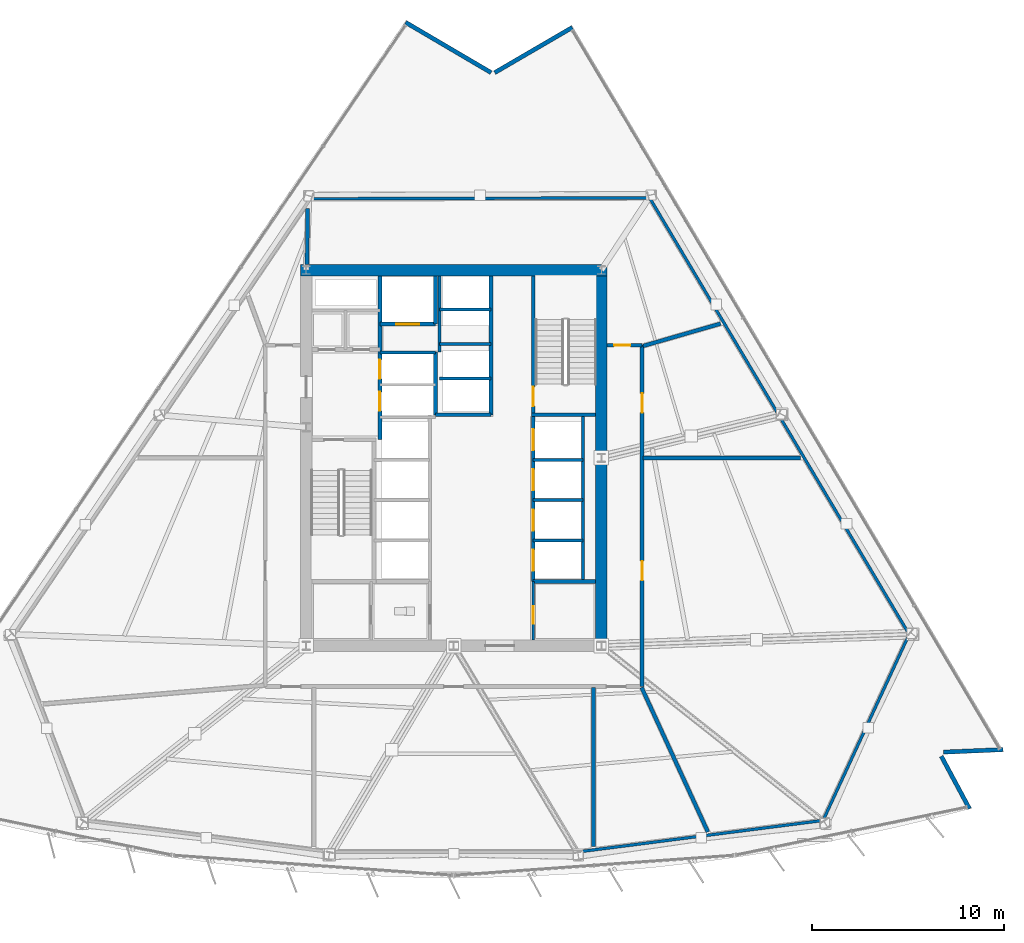
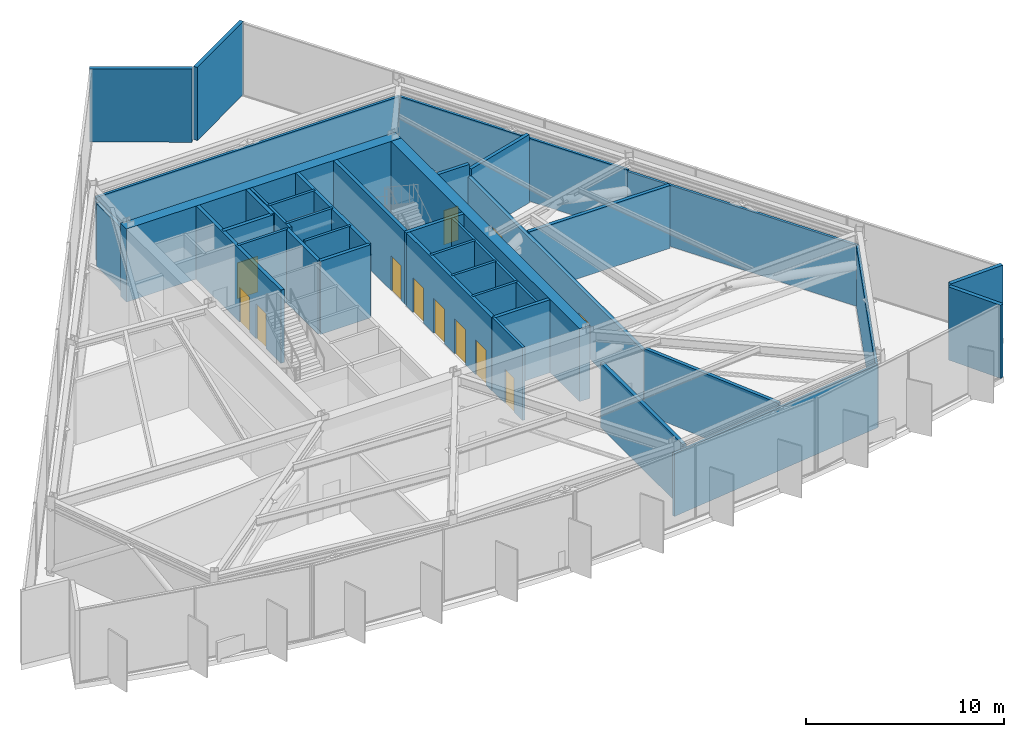
# One storey, part 10 of 16: 38 walls, 12 doors, 12 openings.
"""IFC4 building model written with IfcOpenShell, lengths in metres."""

from ifc_helpers import new_model, si_unit, direction, frame, frame_2d, origin, place, context, subcontext, project, spatial, rectangle, extrude, material, layer, layer_set, type_object, element, fill, save


model = new_model("IFC4")

# Units and contexts
model_context = context("Model", 3, precision=1e-05, world=origin(), true_north=direction((0.0, 1.0)))
body_context = subcontext(model_context, "Body", "Model", "MODEL_VIEW")
ifc_project = project(units=[si_unit("LENGTHUNIT", "METRE"), si_unit("AREAUNIT", "SQUARE_METRE"), si_unit("VOLUMEUNIT", "CUBIC_METRE"), si_unit("PLANEANGLEUNIT", "RADIAN"), si_unit("MASSUNIT", "GRAM", prefix="KILO")], contexts=[model_context])

# Site, building, storey
site_placement = place(None, origin())
site = spatial("IfcSite", under=ifc_project, at=site_placement, CompositionType="ELEMENT")
building_placement = place(site_placement, origin())
building = spatial("IfcBuilding", under=site, at=building_placement, Name="Savorim Split Tower", CompositionType="ELEMENT")
storey_placement = place(building_placement, frame((0.0, 0.0, 73.199951171875)))
storey = spatial("IfcBuildingStorey", under=building, at=storey_placement, Name="L19", CompositionType="ELEMENT", Elevation=73.199951171875)

# Walls
ifc_material_1 = material(Name="Concrete C60/75", Category="concrete")
ifc_layer_1 = layer(ifc_material_1, 0.60009765625)
ifc_layer_set_1 = layer_set([ifc_layer_1], Name="WAL-COR-SH600")
wall_type_1 = type_object("IfcWallType", Name="WAL-COR-SH600", PredefinedType="SHEAR", material=ifc_layer_set_1)
wall_1_placement = place(storey_placement, frame((8.0, 10.199951171875, 0.0), z_axis=(0.0, 0.0, 1.0), x_axis=(-1.0, 0.0, 0.0)))
element("IfcWall", 1, at=wall_1_placement, inside=storey, type_object=wall_type_1, Name="L19 Offset Core North Shear Wall", PredefinedType="SHEAR", context=body_context, shape_type="SweptSolid", body=[
    extrude(rectangle(XDim=16.0, YDim=0.60009765625, at=frame_2d((8.0, 0.0))), origin(), (0.0, 0.0, 1.0), 4.5),
])
wall_2_placement = place(storey_placement, frame((7.699951171875, 9.89990234375, 0.0), z_axis=(0.0, 0.0, 1.0), x_axis=(0.0, -1.0, 0.0)))
element("IfcWall", 2, at=wall_2_placement, inside=storey, type_object=wall_type_1, Name="L19 Offset Core East Shear Wall", PredefinedType="SHEAR", context=body_context, shape_type="SweptSolid", body=[
    extrude(rectangle(XDim=19.0, YDim=0.60009765625, at=frame_2d((9.5, 0.0))), origin(), (0.0, 0.0, 1.0), 4.5),
])
ifc_material_2 = material(Name="Precast concrete C40/50", Category="concrete")
ifc_layer_2 = layer(ifc_material_2, 0.219970703125)
ifc_layer_set_2 = layer_set([ifc_layer_2], Name="WAL-EXT-CRN220")
wall_type_2 = type_object("IfcWallType", Name="WAL-EXT-CRN220", PredefinedType="SOLIDWALL", material=ifc_layer_set_2)
wall_3_placement = place(storey_placement, frame((25.44189453125, -15.164794921875, 0.0), z_axis=(0.0, 0.0, 1.0), x_axis=(0.472811757317, -0.881163459378, 0.0)))
element("IfcWall", 3, at=wall_3_placement, inside=storey, type_object=wall_type_2, Name="L19 Notched Corner Facade Wall SE1", PredefinedType="SOLIDWALL", context=body_context, shape_type="SweptSolid", body=[
    extrude(rectangle(XDim=3.109619140625, YDim=0.219970703125, at=frame_2d((1.5546875, 0.0))), origin(), (0.0, 0.0, 1.0), 4.5),
])
wall_4_placement = place(storey_placement, frame((28.667236328125, -14.819091796875, 0.0), z_axis=(0.0, 0.0, 1.0), x_axis=(-0.99909228571, -0.042598176436, 0.0)))
element("IfcWall", 4, at=wall_4_placement, inside=storey, type_object=wall_type_2, Name="L19 Notched Corner Facade Wall SE", PredefinedType="SOLIDWALL", context=body_context, shape_type="SweptSolid", body=[
    extrude(rectangle(XDim=3.1064453125, YDim=0.219970703125, at=frame_2d((1.55322265625, 0.0))), origin(), (0.0, 0.0, 1.0), 4.5),
])
wall_5_placement = place(storey_placement, frame((2.141845703125, 20.502197265625, 0.0), z_axis=(0.0, 0.0, 1.0), x_axis=(0.863981097269, 0.503524243272, 0.0)))
element("IfcWall", 5, at=wall_5_placement, inside=storey, type_object=wall_type_2, Name="L19 Notched Corner Facade Wall NE1", PredefinedType="SOLIDWALL", context=body_context, shape_type="SweptSolid", body=[
    extrude(rectangle(XDim=4.684326171875, YDim=0.219970703125, at=frame_2d((2.34228515625, 0.0))), origin(), (0.0, 0.0, 1.0), 4.5),
])
wall_6_placement = place(storey_placement, frame((-2.509521484375, 23.12451171875, 0.0), z_axis=(0.0, 0.0, 1.0), x_axis=(0.862103972413, -0.506731428618, 0.0)))
element("IfcWall", 6, at=wall_6_placement, inside=storey, type_object=wall_type_2, Name="L19 Notched Corner Facade Wall N", PredefinedType="SOLIDWALL", context=body_context, shape_type="SweptSolid", body=[
    extrude(rectangle(XDim=5.174560546875, YDim=0.219970703125, at=frame_2d((2.58740234375, 0.0))), origin(), (0.0, 0.0, 1.0), 4.5),
])

# Wall, openings, doors
ifc_material_3 = material(Name="Concrete C50/60", Category="concrete")
ifc_layer_3 = layer(ifc_material_3, 0.199951171875)
ifc_layer_set_3 = layer_set([ifc_layer_3], Name="WAL-INT-RC200")
wall_type_3 = type_object("IfcWallType", Name="WAL-INT-RC200", PredefinedType="SOLIDWALL", material=ifc_layer_set_3)
wall_7_placement = place(storey_placement, frame((-3.85009765625, 1.35009765625, 0.0), z_axis=(0.0, 0.0, 1.0), x_axis=(0.0, 1.0, 0.0)))
wall_7 = element("IfcWall", 7, at=wall_7_placement, inside=storey, type_object=wall_type_3, Name="L19 Partition W-L19-CR03", PredefinedType="SOLIDWALL", context=body_context, shape_type="SweptSolid", body=[
    extrude(rectangle(XDim=8.544921875, YDim=0.199951171875, at=frame_2d((4.2724609375, 0.0))), origin(), (0.0, 0.0, 1.0), 4.5),
])
opening_1_placement = place(wall_7_placement, frame((1.5, 0.0, 0.0)))
opening_1 = element("IfcOpeningElement", 8, at=opening_1_placement, cuts=wall_7, Name="Opening LD-FFL", PredefinedType="OPENING", context=body_context, shape_type="SweptSolid", body=[
    extrude(rectangle(XDim=1.0, YDim=2.14990234375, at=frame_2d((0.5, 1.074951171875))), frame((0.0, 0.10986328125, 0.0), z_axis=(0.0, -1.0, 0.0), x_axis=(1.0, 0.0, 0.0)), (0.0, 0.0, 1.0), 0.219970703125),
])
opening_2_placement = place(wall_7_placement, frame((3.179931640625, 0.0, 0.0)))
opening_2 = element("IfcOpeningElement", 9, at=opening_2_placement, cuts=wall_7, Name="Opening LD-FFL", PredefinedType="OPENING", context=body_context, shape_type="SweptSolid", body=[
    extrude(rectangle(XDim=1.0, YDim=2.14990234375, at=frame_2d((0.5, 1.074951171875))), frame((0.0, 0.10986328125, 0.0), z_axis=(0.0, -1.0, 0.0), x_axis=(1.0, 0.0, 0.0)), (0.0, 0.0, 1.0), 0.219970703125),
])
ifc_material_4 = material(Name="Charcoal Anodised Aluminium", Category="aluminium")
door_type_1 = type_object("IfcDoorType", Name="DOR-SLD-LD1000", OperationType="NOTDEFINED", PredefinedType="DOOR", material=ifc_material_4)
door_1_placement = place(opening_1_placement, origin())
door_1 = element("IfcDoor", 10, at=door_1_placement, inside=storey, type_object=door_type_1, Name="DR-L19-LD-FFL1 - L19 Firefighting Lift FFL-1 Sliding Landing Door", OperationType="DOUBLE_DOOR_SLIDING", OverallHeight=2.14990234375, OverallWidth=1.0, PredefinedType="DOOR", context=body_context, shape_type="SweptSolid", body=[
    extrude(rectangle(XDim=1.0, YDim=2.14990234375, at=frame_2d((0.5, 1.074951171875))), frame((0.0, 0.02490234375, 0.0), z_axis=(0.0, -1.0, 0.0), x_axis=(1.0, 0.0, 0.0)), (0.0, 0.0, 1.0), 0.050048828125),
])
fill(opening_1, door_1)
door_2_placement = place(opening_2_placement, origin())
door_2 = element("IfcDoor", 11, at=door_2_placement, inside=storey, type_object=door_type_1, Name="DR-L19-LD-FFL2 - L19 Firefighting Lift FFL-2 Sliding Landing Door", OperationType="DOUBLE_DOOR_SLIDING", OverallHeight=2.14990234375, OverallWidth=1.0, PredefinedType="DOOR", context=body_context, shape_type="SweptSolid", body=[
    extrude(rectangle(XDim=1.0, YDim=2.14990234375, at=frame_2d((0.5, 1.074951171875))), frame((0.0, 0.02490234375, 0.0), z_axis=(0.0, -1.0, 0.0), x_axis=(1.0, 0.0, 0.0)), (0.0, 0.0, 1.0), 0.050048828125),
])
fill(opening_2, door_2)

# Wall, opening, door
wall_8_placement = place(storey_placement, frame((4.14990234375, 2.75, 0.0), z_axis=(0.0, 0.0, 1.0), x_axis=(0.0, 1.0, 0.0)))
wall_8 = element("IfcWall", 12, at=wall_8_placement, inside=storey, type_object=wall_type_3, Name="L19 Structural Shaft Wall W-L19-CR07", PredefinedType="SOLIDWALL", context=body_context, shape_type="SweptSolid", body=[
    extrude(rectangle(XDim=7.14990234375, YDim=0.199951171875, at=frame_2d((3.574951171875, 0.0))), origin(), (0.0, 0.0, 1.0), 4.5),
])
opening_3_placement = place(wall_8_placement, frame((0.35009765625, 0.0, 0.0)))
opening_3 = element("IfcOpeningElement", 13, at=opening_3_placement, cuts=wall_8, Name="Opening DI-04", PredefinedType="OPENING", context=body_context, shape_type="SweptSolid", body=[
    extrude(rectangle(XDim=1.0, YDim=2.14990234375, at=frame_2d((0.5, 1.074951171875))), frame((0.0, 0.10986328125, 0.0), z_axis=(0.0, -1.0, 0.0), x_axis=(1.0, 0.0, 0.0)), (0.0, 0.0, 1.0), 0.219970703125),
])
ifc_material_5 = material(Name="Timber Fire Door Leaf", Category="wood")
door_type_2 = type_object("IfcDoorType", Name="DOR-FIR-1000", OperationType="NOTDEFINED", PredefinedType="DOOR", material=ifc_material_5)
door_3_placement = place(opening_3_placement, origin())
door_3 = element("IfcDoor", 14, at=door_3_placement, inside=storey, type_object=door_type_2, Name="DR-L19-ST2 - L19 Stair ST-2 Enclosure Door", OperationType="SINGLE_SWING_RIGHT", OverallHeight=2.14990234375, OverallWidth=1.0, PredefinedType="DOOR", context=body_context, shape_type="SweptSolid", body=[
    extrude(rectangle(XDim=1.0, YDim=2.14990234375, at=frame_2d((0.5, 1.074951171875))), frame((0.0, 0.02490234375, 0.0), z_axis=(0.0, -1.0, 0.0), x_axis=(1.0, 0.0, 0.0)), (0.0, 0.0, 1.0), 0.050048828125),
])
fill(opening_3, door_3)

# Walls
wall_9_placement = place(storey_placement, frame((4.050048828125, 2.64990234375, 0.0), z_axis=(0.0, 0.0, 1.0), x_axis=(1.0, 0.0, 0.0)))
element("IfcWall", 15, at=wall_9_placement, inside=storey, type_object=wall_type_3, Name="L19 Structural Shaft Wall W-L19-CR08", PredefinedType="SOLIDWALL", context=body_context, shape_type="SweptSolid", body=[
    extrude(rectangle(XDim=3.349853515625, YDim=0.199951171875, at=frame_2d((1.6748046875, 0.0))), origin(), (0.0, 0.0, 1.0), 4.5),
])
wall_10_placement = place(storey_placement, frame((-0.949951171875, 2.64990234375, 0.0), z_axis=(0.0, 0.0, 1.0), x_axis=(0.0, 1.0, 0.0)))
element("IfcWall", 16, at=wall_10_placement, inside=storey, type_object=wall_type_3, Name="L19 Partition W-L19-FFLW", PredefinedType="SOLIDWALL", context=body_context, shape_type="SweptSolid", body=[
    extrude(rectangle(XDim=3.27001953125, YDim=0.199951171875, at=frame_2d((1.635009765625, 0.0))), origin(), (0.0, 0.0, 1.0), 4.5),
])

# Wall, opening, door
wall_11_placement = place(storey_placement, frame((-3.85009765625, 7.3798828125, 0.0), z_axis=(0.0, 0.0, 1.0), x_axis=(1.0, 0.0, 0.0)))
wall_11 = element("IfcWall", 17, at=wall_11_placement, inside=storey, type_object=wall_type_3, Name="L19 Partition W-L19-SVLS", PredefinedType="SOLIDWALL", context=body_context, shape_type="SweptSolid", body=[
    extrude(rectangle(XDim=2.900146484375, YDim=0.199951171875, at=frame_2d((1.4501953125, 0.0))), origin(), (0.0, 0.0, 1.0), 4.5),
])
opening_4_placement = place(wall_11_placement, frame((0.85009765625, 0.0, 0.0)))
opening_4 = element("IfcOpeningElement", 18, at=opening_4_placement, cuts=wall_11, Name="Opening LD-SV", PredefinedType="OPENING", context=body_context, shape_type="SweptSolid", body=[
    extrude(rectangle(XDim=1.199951171875, YDim=2.199951171875, at=frame_2d((0.60009765625, 1.10009765625))), frame((0.0, 0.10986328125, 0.0), z_axis=(0.0, -1.0, 0.0), x_axis=(1.0, 0.0, 0.0)), (0.0, 0.0, 1.0), 0.219970703125),
])
door_type_3 = type_object("IfcDoorType", Name="DOR-SLD-SV1200", OperationType="NOTDEFINED", PredefinedType="DOOR", material=ifc_material_4)
door_4_placement = place(opening_4_placement, origin())
door_4 = element("IfcDoor", 19, at=door_4_placement, inside=storey, type_object=door_type_3, Name="DR-L19-LD-SVL1 - L19 Service Lift SVL-1 Sliding Landing Door", OperationType="DOUBLE_DOOR_SLIDING", OverallHeight=2.199951171875, OverallWidth=1.199951171875, PredefinedType="DOOR", context=body_context, shape_type="SweptSolid", body=[
    extrude(rectangle(XDim=1.199951171875, YDim=2.199951171875, at=frame_2d((0.60009765625, 1.10009765625))), frame((0.0, 0.02490234375, 0.0), z_axis=(0.0, -1.0, 0.0), x_axis=(1.0, 0.0, 0.0)), (0.0, 0.0, 1.0), 0.050048828125),
])
fill(opening_4, door_4)

# Wall
wall_12_placement = place(storey_placement, frame((-0.949951171875, 7.3798828125, 0.0), z_axis=(0.0, 0.0, 1.0), x_axis=(0.0, 1.0, 0.0)))
element("IfcWall", 20, at=wall_12_placement, inside=storey, type_object=wall_type_3, Name="L19 Partition W-L19-SVLE", PredefinedType="SOLIDWALL", context=body_context, shape_type="SweptSolid", body=[
    extrude(rectangle(XDim=2.51513671875, YDim=0.199951171875, at=frame_2d((1.257568359375, 0.0))), origin(), (0.0, 0.0, 1.0), 4.5),
])

# Wall, openings, doors
wall_13_placement = place(storey_placement, frame((4.14990234375, -6.050048828125, 0.0), z_axis=(0.0, 0.0, 1.0), x_axis=(0.0, 1.0, 0.0)))
wall_13 = element("IfcWall", 21, at=wall_13_placement, inside=storey, type_object=wall_type_3, Name="L19 Partition W-L19-B1FRONT", PredefinedType="SOLIDWALL", context=body_context, shape_type="SweptSolid", body=[
    extrude(rectangle(XDim=8.699951171875, YDim=0.199951171875, at=frame_2d((4.35009765625, 0.0))), origin(), (0.0, 0.0, 1.0), 4.5),
])
opening_5_placement = place(wall_13_placement, frame((0.550048828125, 0.0, 0.0)))
opening_5 = element("IfcOpeningElement", 22, at=opening_5_placement, cuts=wall_13, Name="Opening LD-01", PredefinedType="OPENING", context=body_context, shape_type="SweptSolid", body=[
    extrude(rectangle(XDim=1.10009765625, YDim=2.14990234375, at=frame_2d((0.550048828125, 1.074951171875))), frame((0.0, 0.10986328125, 0.0), z_axis=(0.0, -1.0, 0.0), x_axis=(1.0, 0.0, 0.0)), (0.0, 0.0, 1.0), 0.219970703125),
])
opening_6_placement = place(wall_13_placement, frame((2.64990234375, 0.0, 0.0)))
opening_6 = element("IfcOpeningElement", 23, at=opening_6_placement, cuts=wall_13, Name="Opening LD-01", PredefinedType="OPENING", context=body_context, shape_type="SweptSolid", body=[
    extrude(rectangle(XDim=1.10009765625, YDim=2.14990234375, at=frame_2d((0.550048828125, 1.074951171875))), frame((0.0, 0.10986328125, 0.0), z_axis=(0.0, -1.0, 0.0), x_axis=(1.0, 0.0, 0.0)), (0.0, 0.0, 1.0), 0.219970703125),
])
opening_7_placement = place(wall_13_placement, frame((4.75, 0.0, 0.0)))
opening_7 = element("IfcOpeningElement", 24, at=opening_7_placement, cuts=wall_13, Name="Opening LD-01", PredefinedType="OPENING", context=body_context, shape_type="SweptSolid", body=[
    extrude(rectangle(XDim=1.10009765625, YDim=2.14990234375, at=frame_2d((0.550048828125, 1.074951171875))), frame((0.0, 0.10986328125, 0.0), z_axis=(0.0, -1.0, 0.0), x_axis=(1.0, 0.0, 0.0)), (0.0, 0.0, 1.0), 0.219970703125),
])
opening_8_placement = place(wall_13_placement, frame((6.85009765625, 0.0, 0.0)))
opening_8 = element("IfcOpeningElement", 25, at=opening_8_placement, cuts=wall_13, Name="Opening LD-01", PredefinedType="OPENING", context=body_context, shape_type="SweptSolid", body=[
    extrude(rectangle(XDim=1.10009765625, YDim=2.14990234375, at=frame_2d((0.550048828125, 1.074951171875))), frame((0.0, 0.10986328125, 0.0), z_axis=(0.0, -1.0, 0.0), x_axis=(1.0, 0.0, 0.0)), (0.0, 0.0, 1.0), 0.219970703125),
])
door_type_4 = type_object("IfcDoorType", Name="DOR-SLD-LD1100", OperationType="NOTDEFINED", PredefinedType="DOOR", material=ifc_material_4)
door_5_placement = place(opening_5_placement, origin())
door_5 = element("IfcDoor", 26, at=door_5_placement, inside=storey, type_object=door_type_4, Name="DR-L19-LD-PLL1 - L19 Lift PL-L1 Sliding Landing Door", OperationType="DOUBLE_DOOR_SLIDING", OverallHeight=2.14990234375, OverallWidth=1.10009765625, PredefinedType="DOOR", context=body_context, shape_type="SweptSolid", body=[
    extrude(rectangle(XDim=1.10009765625, YDim=2.14990234375, at=frame_2d((0.550048828125, 1.074951171875))), frame((0.0, 0.02490234375, 0.0), z_axis=(0.0, -1.0, 0.0), x_axis=(1.0, 0.0, 0.0)), (0.0, 0.0, 1.0), 0.050048828125),
])
fill(opening_5, door_5)
door_6_placement = place(opening_6_placement, origin())
door_6 = element("IfcDoor", 27, at=door_6_placement, inside=storey, type_object=door_type_4, Name="DR-L19-LD-PLL2 - L19 Lift PL-L2 Sliding Landing Door", OperationType="DOUBLE_DOOR_SLIDING", OverallHeight=2.14990234375, OverallWidth=1.10009765625, PredefinedType="DOOR", context=body_context, shape_type="SweptSolid", body=[
    extrude(rectangle(XDim=1.10009765625, YDim=2.14990234375, at=frame_2d((0.550048828125, 1.074951171875))), frame((0.0, 0.02490234375, 0.0), z_axis=(0.0, -1.0, 0.0), x_axis=(1.0, 0.0, 0.0)), (0.0, 0.0, 1.0), 0.050048828125),
])
fill(opening_6, door_6)
door_7_placement = place(opening_7_placement, origin())
door_7 = element("IfcDoor", 28, at=door_7_placement, inside=storey, type_object=door_type_4, Name="DR-L19-LD-PLL3 - L19 Lift PL-L3 Sliding Landing Door", OperationType="DOUBLE_DOOR_SLIDING", OverallHeight=2.14990234375, OverallWidth=1.10009765625, PredefinedType="DOOR", context=body_context, shape_type="SweptSolid", body=[
    extrude(rectangle(XDim=1.10009765625, YDim=2.14990234375, at=frame_2d((0.550048828125, 1.074951171875))), frame((0.0, 0.02490234375, 0.0), z_axis=(0.0, -1.0, 0.0), x_axis=(1.0, 0.0, 0.0)), (0.0, 0.0, 1.0), 0.050048828125),
])
fill(opening_7, door_7)
door_8_placement = place(opening_8_placement, origin())
door_8 = element("IfcDoor", 29, at=door_8_placement, inside=storey, type_object=door_type_4, Name="DR-L19-LD-PLL4 - L19 Lift PL-L4 Sliding Landing Door", OperationType="DOUBLE_DOOR_SLIDING", OverallHeight=2.14990234375, OverallWidth=1.10009765625, PredefinedType="DOOR", context=body_context, shape_type="SweptSolid", body=[
    extrude(rectangle(XDim=1.10009765625, YDim=2.14990234375, at=frame_2d((0.550048828125, 1.074951171875))), frame((0.0, 0.02490234375, 0.0), z_axis=(0.0, -1.0, 0.0), x_axis=(1.0, 0.0, 0.0)), (0.0, 0.0, 1.0), 0.050048828125),
])
fill(opening_8, door_8)

# Walls
wall_14_placement = place(storey_placement, frame((1.949951171875, 2.64990234375, 0.0), z_axis=(0.0, 0.0, 1.0), x_axis=(0.0, 1.0, 0.0)))
element("IfcWall", 30, at=wall_14_placement, inside=storey, type_object=wall_type_3, Name="L19 Partition W-L19-B3FRONT", PredefinedType="SOLIDWALL", context=body_context, shape_type="SweptSolid", body=[
    extrude(rectangle(XDim=7.2451171875, YDim=0.199951171875, at=frame_2d((3.62255859375, 0.0))), origin(), (0.0, 0.0, 1.0), 4.5),
])
wall_15_placement = place(storey_placement, frame((-0.949951171875, 2.64990234375, 0.0), z_axis=(0.0, 0.0, 1.0), x_axis=(1.0, 0.0, 0.0)))
element("IfcWall", 31, at=wall_15_placement, inside=storey, type_object=wall_type_3, Name="L19 Partition W-L19-B3SOUTH", PredefinedType="SOLIDWALL", context=body_context, shape_type="SweptSolid", body=[
    extrude(rectangle(XDim=2.89990234375, YDim=0.199951171875, at=frame_2d((1.449951171875, 0.0))), origin(), (0.0, 0.0, 1.0), 4.5),
])
wall_16_placement = place(storey_placement, frame((4.14990234375, -6.050048828125, 0.0), z_axis=(0.0, 0.0, 1.0), x_axis=(1.0, 0.0, 0.0)))
element("IfcWall", 32, at=wall_16_placement, inside=storey, type_object=wall_type_3, Name="L19 Partition W-L19-KSEP-E", PredefinedType="SOLIDWALL", context=body_context, shape_type="SweptSolid", body=[
    extrude(rectangle(XDim=3.2451171875, YDim=0.199951171875, at=frame_2d((1.62255859375, 0.0))), origin(), (0.0, 0.0, 1.0), 4.5),
])

# Wall, openings, doors
wall_17_placement = place(storey_placement, frame((9.830078125, -11.530029296875, 0.0), z_axis=(0.0, 0.0, 1.0), x_axis=(0.0, 1.0, 0.0)))
wall_17 = element("IfcWall", 33, at=wall_17_placement, inside=storey, type_object=wall_type_3, Name="L19 Partition W-L19-COR-E1", PredefinedType="SOLIDWALL", context=body_context, shape_type="SweptSolid", body=[
    extrude(rectangle(XDim=17.81005859375, YDim=0.199951171875, at=frame_2d((8.905029296875, 0.0))), origin(), (0.0, 0.0, 1.0), 3.759033203125),
])
opening_9_placement = place(wall_17_placement, frame((5.54150390625, 0.0, 0.0)))
opening_9 = element("IfcOpeningElement", 34, at=opening_9_placement, cuts=wall_17, Name="Opening DI-04", PredefinedType="OPENING", context=body_context, shape_type="SweptSolid", body=[
    extrude(rectangle(XDim=1.0, YDim=2.14990234375, at=frame_2d((0.5, 1.074951171875))), frame((0.0, 0.10986328125, 0.0), z_axis=(0.0, -1.0, 0.0), x_axis=(1.0, 0.0, 0.0)), (0.0, 0.0, 1.0), 0.219970703125),
])
opening_10_placement = place(wall_17_placement, frame((14.29345703125, 0.0, 0.0)))
opening_10 = element("IfcOpeningElement", 35, at=opening_10_placement, cuts=wall_17, Name="Opening DI-04", PredefinedType="OPENING", context=body_context, shape_type="SweptSolid", body=[
    extrude(rectangle(XDim=1.0, YDim=2.14990234375, at=frame_2d((0.5, 1.074951171875))), frame((0.0, 0.10986328125, 0.0), z_axis=(0.0, -1.0, 0.0), x_axis=(1.0, 0.0, 0.0)), (0.0, 0.0, 1.0), 0.219970703125),
])
door_9_placement = place(opening_9_placement, origin())
door_9 = element("IfcDoor", 36, at=door_9_placement, inside=storey, type_object=door_type_2, Name="DR-L19-RM05 - L19 Refuge Area North Entry Door", OperationType="SINGLE_SWING_RIGHT", OverallHeight=2.14990234375, OverallWidth=1.0, PredefinedType="DOOR", context=body_context, shape_type="SweptSolid", body=[
    extrude(rectangle(XDim=1.0, YDim=2.14990234375, at=frame_2d((0.5, 1.074951171875))), frame((0.0, 0.02490234375, 0.0), z_axis=(0.0, -1.0, 0.0), x_axis=(1.0, 0.0, 0.0)), (0.0, 0.0, 1.0), 0.050048828125),
])
fill(opening_9, door_9)
door_10_placement = place(opening_10_placement, origin())
door_10 = element("IfcDoor", 37, at=door_10_placement, inside=storey, type_object=door_type_2, Name="DR-L19-RM06 - L19 Refuge Area North-East Entry Door", OperationType="SINGLE_SWING_LEFT", OverallHeight=2.14990234375, OverallWidth=1.0, PredefinedType="DOOR", context=body_context, shape_type="SweptSolid", body=[
    extrude(rectangle(XDim=1.0, YDim=2.14990234375, at=frame_2d((0.5, 1.074951171875))), frame((0.0, 0.02490234375, 0.0), z_axis=(0.0, -1.0, 0.0), x_axis=(1.0, 0.0, 0.0)), (0.0, 0.0, 1.0), 0.050048828125),
])
fill(opening_10, door_10)

# Wall, opening, door
wall_18_placement = place(storey_placement, frame((8.0, 6.280029296875, 0.0), z_axis=(0.0, 0.0, 1.0), x_axis=(1.0, 0.0, 0.0)))
wall_18 = element("IfcWall", 38, at=wall_18_placement, inside=storey, type_object=wall_type_3, Name="L19 Partition W-L19-COR-EN1", PredefinedType="SOLIDWALL", context=body_context, shape_type="SweptSolid", body=[
    extrude(rectangle(XDim=1.830078125, YDim=0.199951171875, at=frame_2d((0.9150390625, 0.0))), origin(), (0.0, 0.0, 1.0), 4.5),
])
opening_11_placement = place(wall_18_placement, frame((0.364990234375, 0.0, 0.0)))
opening_11 = element("IfcOpeningElement", 39, at=opening_11_placement, cuts=wall_18, Name="Opening DI-12", PredefinedType="OPENING", context=body_context, shape_type="SweptSolid", body=[
    extrude(rectangle(XDim=0.85009765625, YDim=2.10009765625, at=frame_2d((0.425048828125, 1.050048828125))), frame((0.0, 0.10986328125, 0.0), z_axis=(0.0, -1.0, 0.0), x_axis=(1.0, 0.0, 0.0)), (0.0, 0.0, 1.0), 0.219970703125),
])
ifc_material_6 = material(Name="Galvanised Painted Steel Balustrade", Category="steel")
door_type_5 = type_object("IfcDoorType", Name="DOR-RIS-850", OperationType="NOTDEFINED", PredefinedType="DOOR", material=ifc_material_6)
door_11_placement = place(opening_11_placement, origin())
door_11 = element("IfcDoor", 40, at=door_11_placement, inside=storey, type_object=door_type_5, Name="DR-L19-RM07 - L19 Booster Pump Plant Room 1 Entry Door", OperationType="SINGLE_SWING_RIGHT", OverallHeight=2.10009765625, OverallWidth=0.85009765625, PredefinedType="DOOR", context=body_context, shape_type="SweptSolid", body=[
    extrude(rectangle(XDim=0.85009765625, YDim=2.10009765625, at=frame_2d((0.425048828125, 1.050048828125))), frame((0.0, 0.02490234375, 0.0), z_axis=(0.0, -1.0, 0.0), x_axis=(1.0, 0.0, 0.0)), (0.0, 0.0, 1.0), 0.050048828125),
])
fill(opening_11, door_11)

# Walls
wall_19_placement = place(storey_placement, frame((7.293212890625, -11.590087890625, 0.0), z_axis=(0.0, 0.0, 1.0), x_axis=(0.0, -1.0, 0.0)))
element("IfcWall", 41, at=wall_19_placement, inside=storey, type_object=wall_type_3, Name="L19 Partition W-L19-PLW06", PredefinedType="SOLIDWALL", context=body_context, shape_type="SweptSolid", body=[
    extrude(rectangle(XDim=8.29150390625, YDim=0.199951171875, at=frame_2d((4.145751953125, 0.0))), origin(), (0.0, 0.0, 1.0), 3.985107421875),
])
wall_20_placement = place(storey_placement, frame((9.803466796875, -11.5791015625, 0.0), z_axis=(0.0, 0.0, 1.0), x_axis=(0.417145334668, -0.908839793234, 0.0)))
element("IfcWall", 42, at=wall_20_placement, inside=storey, type_object=wall_type_3, Name="L19 Partition W-L19-PLW07", PredefinedType="SOLIDWALL", context=body_context, shape_type="SweptSolid", body=[
    extrude(rectangle(XDim=8.2919921875, YDim=0.199951171875, at=frame_2d((4.14599609375, 0.0))), origin(), (0.0, 0.0, 1.0), 3.985107421875),
])
wall_21_placement = place(storey_placement, frame((9.889892578125, 0.39990234375, 0.0), z_axis=(0.0, 0.0, 1.0), x_axis=(1.0, 0.0, 0.0)))
element("IfcWall", 43, at=wall_21_placement, inside=storey, type_object=wall_type_3, Name="L19 Partition W-L19-PLW10", PredefinedType="SOLIDWALL", context=body_context, shape_type="SweptSolid", body=[
    extrude(rectangle(XDim=8.20361328125, YDim=0.199951171875, at=frame_2d((4.101806640625, 0.0))), origin(), (0.0, 0.0, 1.0), 3.875),
])
wall_22_placement = place(storey_placement, frame((9.8837890625, 6.240478515625, 0.0), z_axis=(0.0, 0.0, 1.0), x_axis=(0.9608975361, 0.27690418039, 0.0)))
element("IfcWall", 44, at=wall_22_placement, inside=storey, type_object=wall_type_3, Name="L19 Partition W-L19-PLW11", PredefinedType="SOLIDWALL", context=body_context, shape_type="SweptSolid", body=[
    extrude(rectangle(XDim=4.208251953125, YDim=0.199951171875, at=frame_2d((2.10400390625, 0.0))), origin(), (0.0, 0.0, 1.0), 4.205078125),
])
wall_23_placement = place(storey_placement, frame((-7.652099609375, 10.5, 0.0), z_axis=(0.0, 0.0, 1.0), x_axis=(0.011402914465, 0.999934984657, 0.0)))
element("IfcWall", 45, at=wall_23_placement, inside=storey, type_object=wall_type_3, Name="L19 Partition W-L19-PLW15", PredefinedType="SOLIDWALL", context=body_context, shape_type="SweptSolid", body=[
    extrude(rectangle(XDim=2.911865234375, YDim=0.199951171875, at=frame_2d((1.4560546875, 0.0))), origin(), (0.0, 0.0, 1.0), 3.875),
])
ifc_material_7 = material(Name="Acoustic Gypsum Partition Board")
ifc_layer_4 = layer(ifc_material_7, 0.14990234375)
ifc_layer_set_4 = layer_set([ifc_layer_4], Name="WAL-PAR-150")
wall_type_4 = type_object("IfcWallType", Name="WAL-PAR-150", PredefinedType="PARTITIONING", material=ifc_layer_set_4)
wall_24_placement = place(storey_placement, frame((-3.85009765625, 5.89990234375, 0.0), z_axis=(0.0, 0.0, 1.0), x_axis=(1.0, 0.0, 0.0)))
element("IfcWall", 46, at=wall_24_placement, inside=storey, type_object=wall_type_4, Name="L19 Partition W-L19-FFLD2", PredefinedType="PARTITIONING", context=body_context, shape_type="SweptSolid", body=[
    extrude(rectangle(XDim=2.900146484375, YDim=0.14990234375, at=frame_2d((1.4501953125, 0.0))), origin(), (0.0, 0.0, 1.0), 4.5),
])
wall_25_placement = place(storey_placement, frame((6.75, -6.050048828125, 0.0), z_axis=(0.0, 0.0, 1.0), x_axis=(0.0, 1.0, 0.0)))
element("IfcWall", 47, at=wall_25_placement, inside=storey, type_object=wall_type_4, Name="L19 Partition W-L19-B1BACK", PredefinedType="PARTITIONING", context=body_context, shape_type="SweptSolid", body=[
    extrude(rectangle(XDim=8.699951171875, YDim=0.14990234375, at=frame_2d((4.35009765625, 0.0))), origin(), (0.0, 0.0, 1.0), 4.5),
])
for number, where, z_axis, x_axis, name in (
    (48, (4.14990234375, -3.89990234375, 0.0), (0.0, 0.0, 1.0), (1.0, 0.0, 0.0), "L19 Partition W-L19-B1DIV1"),
    (49, (4.14990234375, -1.800048828125, 0.0), (0.0, 0.0, 1.0), (1.0, 0.0, 0.0), "L19 Partition W-L19-B1DIV2"),
    (50, (4.14990234375, 0.300048828125, 0.0), (0.0, 0.0, 1.0), (1.0, 0.0, 0.0), "L19 Partition W-L19-B1DIV3"),
):
    element("IfcWall", number, at=place(storey_placement, frame(where, z_axis=z_axis, x_axis=x_axis)), inside=storey, type_object=wall_type_4, Name=name, PredefinedType="PARTITIONING", context=body_context, shape_type="SweptSolid", body=[
        extrude(rectangle(XDim=2.60009765625, YDim=0.14990234375, at=frame_2d((1.300048828125, 0.0))), origin(), (0.0, 0.0, 1.0), 4.5),
    ])
wall_26_placement = place(storey_placement, frame((-0.75, 5.919921875, 0.0), z_axis=(0.0, 0.0, 1.0), x_axis=(0.0, 1.0, 0.0)))
element("IfcWall", 51, at=wall_26_placement, inside=storey, type_object=wall_type_4, Name="L19 Partition W-L19-B3WEST", PredefinedType="PARTITIONING", context=body_context, shape_type="SweptSolid", body=[
    extrude(rectangle(XDim=3.97509765625, YDim=0.14990234375, at=frame_2d((1.987548828125, 0.0))), origin(), (0.0, 0.0, 1.0), 4.5),
])
for number, where, z_axis, x_axis, name in (
    (52, (-0.75, 4.550048828125, 0.0), (0.0, 0.0, 1.0), (1.0, 0.0, 0.0), "L19 Partition W-L19-B3DIV1"),
    (53, (-0.75, 6.35009765625, 0.0), (0.0, 0.0, 1.0), (1.0, 0.0, 0.0), "L19 Partition W-L19-B3DIV2"),
    (54, (-0.75, 8.14990234375, 0.0), (0.0, 0.0, 1.0), (1.0, 0.0, 0.0), "L19 Partition W-L19-B3DIV3"),
):
    element("IfcWall", number, at=place(storey_placement, frame(where, z_axis=z_axis, x_axis=x_axis)), inside=storey, type_object=wall_type_4, Name=name, PredefinedType="PARTITIONING", context=body_context, shape_type="SweptSolid", body=[
        extrude(rectangle(XDim=2.699951171875, YDim=0.14990234375, at=frame_2d((1.35009765625, 0.0))), origin(), (0.0, 0.0, 1.0), 4.5),
    ])

# Wall, opening, door
wall_27_placement = place(storey_placement, frame((4.14990234375, -9.094970703125, 0.0), z_axis=(0.0, 0.0, 1.0), x_axis=(0.0, 1.0, 0.0)))
wall_27 = element("IfcWall", 55, at=wall_27_placement, inside=storey, type_object=wall_type_4, Name="L19 Partition W-L19-KLOB-E", PredefinedType="PARTITIONING", context=body_context, shape_type="SweptSolid", body=[
    extrude(rectangle(XDim=3.044921875, YDim=0.14990234375, at=frame_2d((1.5224609375, 0.0))), origin(), (0.0, 0.0, 1.0), 4.5),
])
opening_12_placement = place(wall_27_placement, frame((0.844970703125, 0.0, 0.0)))
opening_12 = element("IfcOpeningElement", 56, at=opening_12_placement, cuts=wall_27, Name="Opening DI-06", PredefinedType="OPENING", context=body_context, shape_type="SweptSolid", body=[
    extrude(rectangle(XDim=0.89990234375, YDim=2.10009765625, at=frame_2d((0.449951171875, 1.050048828125))), frame((0.0, 0.0849609375, 0.0), z_axis=(0.0, -1.0, 0.0), x_axis=(1.0, 0.0, 0.0)), (0.0, 0.0, 1.0), 0.169921875),
])
door_type_6 = type_object("IfcDoorType", Name="DOR-FIR-900", OperationType="NOTDEFINED", PredefinedType="DOOR", material=ifc_material_5)
door_12_placement = place(opening_12_placement, origin())
door_12 = element("IfcDoor", 57, at=door_12_placement, inside=storey, type_object=door_type_6, Name="DR-L19-K1IT - L19 Core IT Room Door", OperationType="SINGLE_SWING_LEFT", OverallHeight=2.10009765625, OverallWidth=0.89990234375, PredefinedType="DOOR", context=body_context, shape_type="SweptSolid", body=[
    extrude(rectangle(XDim=0.89990234375, YDim=2.10009765625, at=frame_2d((0.449951171875, 1.050048828125))), frame((0.0, 0.02490234375, 0.0), z_axis=(0.0, -1.0, 0.0), x_axis=(1.0, 0.0, 0.0)), (0.0, 0.0, 1.0), 0.050048828125),
])
fill(opening_12, door_12)

# Walls
wall_28_placement = place(storey_placement, frame((-7.479736328125, 13.918212890625, 0.0), z_axis=(0.0, 0.0, 1.0), x_axis=(0.999996272289, 0.00273045938, 0.0)))
element("IfcWall", 58, at=wall_28_placement, inside=storey, type_object=wall_type_4, Name="L19 Partition W-L19-PBLT03", PredefinedType="PARTITIONING", context=body_context, shape_type="SweptSolid", body=[
    extrude(rectangle(XDim=17.703857421875, YDim=0.14990234375, at=frame_2d((8.85205078125, 0.0))), origin(), (0.0, 0.0, 1.0), 3.875),
])
wall_29_placement = place(storey_placement, frame((10.22412109375, 13.966552734375, 0.0), z_axis=(0.0, 0.0, 1.0), x_axis=(0.511094535589, -0.859524505579, 0.0)))
element("IfcWall", 59, at=wall_29_placement, inside=storey, type_object=wall_type_4, Name="L19 Partition W-L19-PBLT04", PredefinedType="PARTITIONING", context=body_context, shape_type="SweptSolid", body=[
    extrude(rectangle(XDim=13.2421875, YDim=0.14990234375, at=frame_2d((6.62109375, 0.0))), origin(), (0.0, 0.0, 1.0), 3.875),
])
wall_30_placement = place(storey_placement, frame((16.9921875, 2.58447265625, 0.0), z_axis=(0.0, 0.0, 1.0), x_axis=(0.511096364948, -0.859523417794, 0.0)))
element("IfcWall", 60, at=wall_30_placement, inside=storey, type_object=wall_type_4, Name="L19 Partition W-L19-PBLT05", PredefinedType="PARTITIONING", context=body_context, shape_type="SweptSolid", body=[
    extrude(rectangle(XDim=13.24951171875, YDim=0.14990234375, at=frame_2d((6.624755859375, 0.0))), origin(), (0.0, 0.0, 1.0), 3.759033203125),
])
wall_31_placement = place(storey_placement, frame((23.763916015625, -8.8037109375, 0.0), z_axis=(0.0, 0.0, 1.0), x_axis=(-0.419704898633, -0.907660618328, 0.0)))
element("IfcWall", 61, at=wall_31_placement, inside=storey, type_object=wall_type_4, Name="L19 Partition W-L19-PBLT06", PredefinedType="PARTITIONING", context=body_context, shape_type="SweptSolid", body=[
    extrude(rectangle(XDim=10.69921875, YDim=0.14990234375, at=frame_2d((5.349609375, 0.0))), origin(), (0.0, 0.0, 1.0), 3.759033203125),
])
wall_32_placement = place(storey_placement, frame((19.2734375, -18.514892578125, 0.0), z_axis=(0.0, 0.0, 1.0), x_axis=(-0.991858375922, -0.127345836654, 0.0)))
element("IfcWall", 62, at=wall_32_placement, inside=storey, type_object=wall_type_4, Name="L19 Partition W-L19-PBLT07", PredefinedType="PARTITIONING", context=body_context, shape_type="SweptSolid", body=[
    extrude(rectangle(XDim=12.892822265625, YDim=0.14990234375, at=frame_2d((6.4462890625, 0.0))), origin(), (0.0, 0.0, 1.0), 3.875),
])

save(model, "model.ifc")
